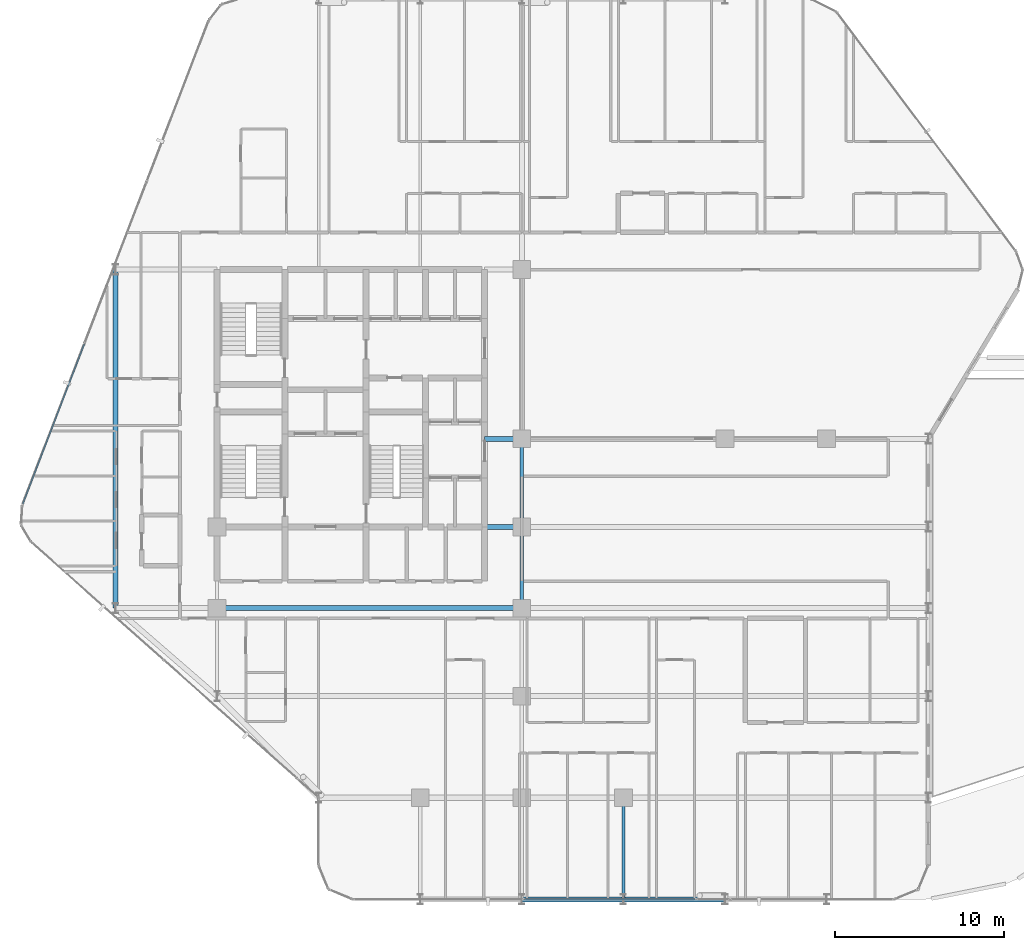
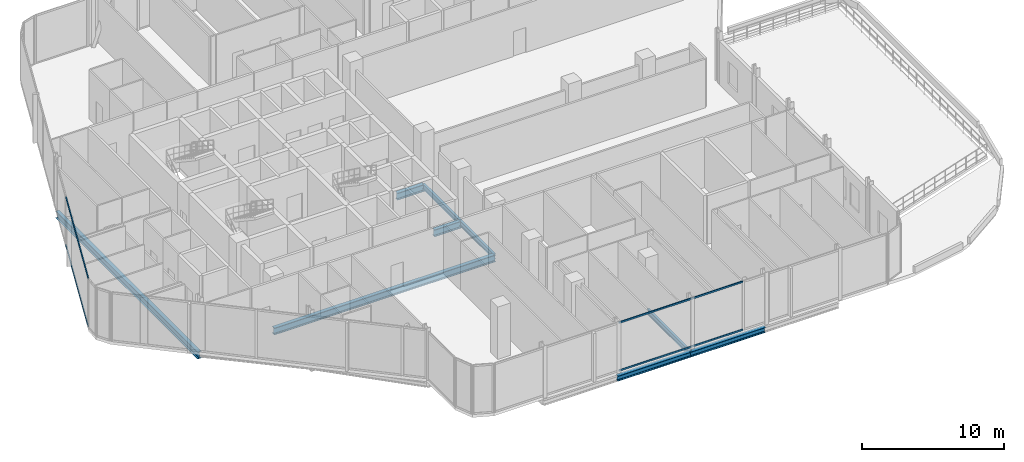
# One storey, part 7 of 30: 9 beams, 4 members, 2 elements without a shape of their own.
"""IFC4 building model written with IfcOpenShell, lengths in metres."""

from ifc_helpers import new_model, si_unit, direction, frame, origin, origin_2d, place, context, subcontext, project, spatial, hollow_rectangle, i_section, extrude, material, layer, layer_set, material_profile, profile_set, type_object, element, aggregate, save


model = new_model("IFC4")

# Units and contexts
model_context = context("Model", 3, precision=1e-05, world=origin(), true_north=direction((0.0, 1.0)))
body_context = subcontext(model_context, "Body", "Model", "MODEL_VIEW")
ifc_project = project(units=[si_unit("LENGTHUNIT", "METRE"), si_unit("AREAUNIT", "SQUARE_METRE"), si_unit("VOLUMEUNIT", "CUBIC_METRE"), si_unit("PLANEANGLEUNIT", "RADIAN"), si_unit("MASSUNIT", "GRAM", prefix="KILO")], contexts=[model_context])

# Site, building, storey
site_placement = place(None, origin())
site = spatial("IfcSite", under=ifc_project, at=site_placement, CompositionType="ELEMENT")
building_placement = place(site_placement, origin())
building = spatial("IfcBuilding", under=site, at=building_placement, Name="Keshet Zoharim Tower", CompositionType="ELEMENT")
storey_placement = place(building_placement, frame((0.0, 0.0, 86.39990234375)))
storey = spatial("IfcBuildingStorey", under=building, at=storey_placement, Name="L20", CompositionType="ELEMENT", Elevation=86.39990234375)

# Beams
ifc_material_1 = material(Name="Steel S355", Category="steel")
ifc_material_profile_1 = material_profile(ifc_material_1, i_section(OverallWidth=0.300048828125, OverallDepth=0.60009765625, WebThickness=0.015380859375, FlangeThickness=0.030029296875, FilletRadius=0.027099609375, at=origin_2d()), Name="HEB600")
ifc_profile_set_1 = profile_set([ifc_material_profile_1], Name="Steel S355")
beam_type_1 = type_object("IfcBeamType", Name="BM-CLK-HB600", PredefinedType="BEAM", material=ifc_profile_set_1)
for number, where, z_axis, x_axis, name in (
    (1, (30.800048828125, 22.699951171875, -0.614990234375), (1.0, 0.0, 0.0), (0.0, 1.0, 0.0), "L20 Core Wall Link Girder 01"),
    (2, (30.800048828125, 27.89990234375, -0.614990234375), (1.0, 0.0, 0.0), (0.0, 1.0, 0.0), "L20 Core Wall Link Girder 02"),
):
    element("IfcBeam", number, at=place(storey_placement, frame(where, z_axis=z_axis, x_axis=x_axis)), inside=storey, type_object=beam_type_1, Name=name, PredefinedType="BEAM", context=body_context, shape_type="SweptSolid", body=[
        extrude(i_section(OverallWidth=0.300048828125, OverallDepth=0.60009765625, WebThickness=0.015380859375, FlangeThickness=0.030029296875, FilletRadius=0.027099609375, at=origin_2d()), origin(), (0.0, 0.0, 1.0), 2.199951171875),
    ])
ifc_material_profile_2 = material_profile(ifc_material_1, i_section(OverallWidth=0.300048828125, OverallDepth=0.60009765625, WebThickness=0.015380859375, FlangeThickness=0.030029296875, FilletRadius=0.027099609375, at=origin_2d()), Name="HEB600")
ifc_profile_set_2 = profile_set([ifc_material_profile_2], Name="Steel S355")
beam_type_2 = type_object("IfcBeamType", Name="BM-LNG-HB600", PredefinedType="BEAM", material=ifc_profile_set_2)
beam_1_placement = place(storey_placement, frame((15.0, 17.89990234375, -0.614990234375), z_axis=(1.0, 0.0, 0.0), x_axis=(0.0, 1.0, 0.0)))
element("IfcBeam", 3, at=beam_1_placement, inside=storey, type_object=beam_type_2, Name="L20 Primary Girder X-012", PredefinedType="BEAM", context=body_context, shape_type="SweptSolid", body=[
    extrude(i_section(OverallWidth=0.300048828125, OverallDepth=0.60009765625, WebThickness=0.015380859375, FlangeThickness=0.030029296875, FilletRadius=0.027099609375, at=origin_2d()), origin(), (0.0, 0.0, 1.0), 18.0),
])
beam_2_placement = place(storey_placement, frame((9.0, 17.89990234375, -0.614990234375), z_axis=(0.0, 1.0, 0.0), x_axis=(-1.0, 0.0, 0.0)))
element("IfcBeam", 4, at=beam_2_placement, inside=storey, type_object=beam_type_2, Name="L20 Primary Girder Y-001", PredefinedType="BEAM", context=body_context, shape_type="SweptSolid", body=[
    extrude(i_section(OverallWidth=0.300048828125, OverallDepth=0.60009765625, WebThickness=0.015380859375, FlangeThickness=0.030029296875, FilletRadius=0.027099609375, at=origin_2d()), origin(), (0.0, 0.0, 1.0), 20.0),
])
ifc_material_profile_3 = material_profile(ifc_material_1, i_section(OverallWidth=0.18994140625, OverallDepth=0.449951171875, WebThickness=0.009521484375, FlangeThickness=0.0146484375, FilletRadius=0.02099609375, at=origin_2d()), Name="IPE450")
ifc_profile_set_3 = profile_set([ifc_material_profile_3], Name="Steel S355")
beam_type_3 = type_object("IfcBeamType", Name="BM-PRI-IP450", PredefinedType="BEAM", material=ifc_profile_set_3)
beam_3_placement = place(storey_placement, frame((33.0, 17.89990234375, -0.539794921875), z_axis=(0.0, 1.0, 0.0), x_axis=(-1.0, 0.0, 0.0)))
element("IfcBeam", 5, at=beam_3_placement, inside=storey, type_object=beam_type_3, Name="L20 Primary Girder Y-008", PredefinedType="BEAM", context=body_context, shape_type="SweptSolid", body=[
    extrude(i_section(OverallWidth=0.18994140625, OverallDepth=0.449951171875, WebThickness=0.009521484375, FlangeThickness=0.0146484375, FilletRadius=0.02099609375, at=origin_2d()), origin(), (0.0, 0.0, 1.0), 4.800048828125),
])
beam_4_placement = place(storey_placement, frame((33.0, 22.699951171875, -0.539794921875), z_axis=(0.0, 1.0, 0.0), x_axis=(-1.0, 0.0, 0.0)))
element("IfcBeam", 6, at=beam_4_placement, inside=storey, type_object=beam_type_3, Name="L20 Primary Girder Y-009", PredefinedType="BEAM", context=body_context, shape_type="SweptSolid", body=[
    extrude(i_section(OverallWidth=0.18994140625, OverallDepth=0.449951171875, WebThickness=0.009521484375, FlangeThickness=0.0146484375, FilletRadius=0.02099609375, at=origin_2d()), origin(), (0.0, 0.0, 1.0), 5.199951171875),
])
beam_5_placement = place(storey_placement, frame((39.0, 0.699951171875, -0.539794921875), z_axis=(0.0, 1.0, 0.0), x_axis=(-1.0, 0.0, 0.0)))
element("IfcBeam", 7, at=beam_5_placement, inside=storey, type_object=beam_type_3, Name="L20 Primary Girder Y-012", PredefinedType="BEAM", context=body_context, shape_type="SweptSolid", body=[
    extrude(i_section(OverallWidth=0.18994140625, OverallDepth=0.449951171875, WebThickness=0.009521484375, FlangeThickness=0.0146484375, FilletRadius=0.02099609375, at=origin_2d()), origin(), (0.0, 0.0, 1.0), 6.0),
])
ifc_material_profile_4 = material_profile(ifc_material_1, i_section(OverallWidth=0.300048828125, OverallDepth=0.449951171875, WebThickness=0.013916015625, FlangeThickness=0.02587890625, FilletRadius=0.027099609375, at=origin_2d()), Name="HEB450")
ifc_profile_set_4 = profile_set([ifc_material_profile_4], Name="Steel S355")
beam_type_4 = type_object("IfcBeamType", Name="BM-WEB-HB450", PredefinedType="BEAM", material=ifc_profile_set_4)
for number, where, z_axis, x_axis, name in (
    (8, (33.0, 0.699951171875, -0.539794921875), (1.0, 0.0, 0.0), (0.0, 1.0, 0.0), "L20 Primary Girder X-002"),
    (9, (39.0, 0.699951171875, -0.539794921875), (1.0, 0.0, 0.0), (0.0, 1.0, 0.0), "L20 Primary Girder X-003"),
):
    element("IfcBeam", number, at=place(storey_placement, frame(where, z_axis=z_axis, x_axis=x_axis)), inside=storey, type_object=beam_type_4, Name=name, PredefinedType="BEAM", context=body_context, shape_type="SweptSolid", body=[
        extrude(i_section(OverallWidth=0.300048828125, OverallDepth=0.449951171875, WebThickness=0.013916015625, FlangeThickness=0.02587890625, FilletRadius=0.027099609375, at=origin_2d()), origin(), (0.0, 0.0, 1.0), 6.0),
    ])

# Curtain wall, members
ifc_material_2 = material(Name="Aluminium 6063-T6", Category="aluminium")
ifc_layer = layer(ifc_material_2, 0.159912109375)
ifc_layer_set = layer_set([ifc_layer], Name="Aluminium 6063-T6")
curtain_wall_type = type_object("IfcCurtainWallType", Name="CW-SYS-03", PredefinedType="NOTDEFINED", material=ifc_layer_set)
curtain_wall_1_placement = place(storey_placement, origin())
curtain_wall_1 = element("IfcCurtainWall", 10, at=curtain_wall_1_placement, inside=storey, type_object=curtain_wall_type, Name="L20 Unitised Curtain Wall 03 Part 3", PredefinedType="NOTDEFINED")
ifc_material_profile_5 = material_profile(ifc_material_2, hollow_rectangle(XDim=0.080078125, YDim=0.139892578125, WallThickness=0.00390625, at=origin_2d()), Name="TRN-80x140")
ifc_profile_set_5 = profile_set([ifc_material_profile_5], Name="Aluminium 6063-T6")
member_type = type_object("IfcMemberType", Name="CWT-T14", PredefinedType="USERDEFINED", material=ifc_profile_set_5)
member_1_placement = place(storey_placement, frame((43.232666015625, 0.699951171875, 0.03515625), z_axis=(-1.0, 0.0, 0.0), x_axis=(0.0, -1.0, 0.0)))
member_1 = element("IfcMember", 11, at=member_1_placement, type_object=member_type, Name="CW-03 transom 1.1", ObjectType="TRANSOM", PredefinedType="USERDEFINED", context=body_context, shape_type="SweptSolid", body=[
    extrude(hollow_rectangle(XDim=0.080078125, YDim=0.139892578125, WallThickness=0.00390625, at=origin_2d()), origin(), (0.0, 0.0, 1.0), 10.081298828125),
])
member_2_placement = place(storey_placement, frame((43.232666015625, 0.699951171875, 4.150146484375), z_axis=(-1.0, 0.0, 0.0), x_axis=(0.0, -1.0, 0.0)))
member_2 = element("IfcMember", 12, at=member_2_placement, type_object=member_type, Name="CW-03 transom 1.2", ObjectType="TRANSOM", PredefinedType="USERDEFINED", context=body_context, shape_type="SweptSolid", body=[
    extrude(hollow_rectangle(XDim=0.080078125, YDim=0.139892578125, WallThickness=0.00390625, at=origin_2d()), origin(), (0.0, 0.0, 1.0), 10.081298828125),
])
aggregate(curtain_wall_1, [member_1, member_2])

curtain_wall_2_placement = place(storey_placement, origin())
curtain_wall_2 = element("IfcCurtainWall", 13, at=curtain_wall_2_placement, inside=storey, type_object=curtain_wall_type, Name="L20 Unitised Curtain Wall 10", PredefinedType="NOTDEFINED")
member_3_placement = place(storey_placement, frame((3.522216796875, 24.058349609375, 0.03515625), z_axis=(0.358993631387, 0.93334000912, 0.0), x_axis=(-0.93334000912, 0.358993631387, 0.0)))
member_3 = element("IfcMember", 14, at=member_3_placement, type_object=member_type, Name="CW-03 transom 1.1", ObjectType="TRANSOM", PredefinedType="USERDEFINED", context=body_context, shape_type="SweptSolid", body=[
    extrude(hollow_rectangle(XDim=0.080078125, YDim=0.139892578125, WallThickness=0.00390625, at=origin_2d()), origin(), (0.0, 0.0, 1.0), 10.1181640625),
])
member_4_placement = place(storey_placement, frame((3.522216796875, 24.058349609375, 4.150146484375), z_axis=(0.358993631387, 0.93334000912, 0.0), x_axis=(-0.93334000912, 0.358993631387, 0.0)))
member_4 = element("IfcMember", 15, at=member_4_placement, type_object=member_type, Name="CW-03 transom 1.2", ObjectType="TRANSOM", PredefinedType="USERDEFINED", context=body_context, shape_type="SweptSolid", body=[
    extrude(hollow_rectangle(XDim=0.080078125, YDim=0.139892578125, WallThickness=0.00390625, at=origin_2d()), origin(), (0.0, 0.0, 1.0), 10.1181640625),
])
aggregate(curtain_wall_2, [member_3, member_4])

save(model, "model.ifc")
